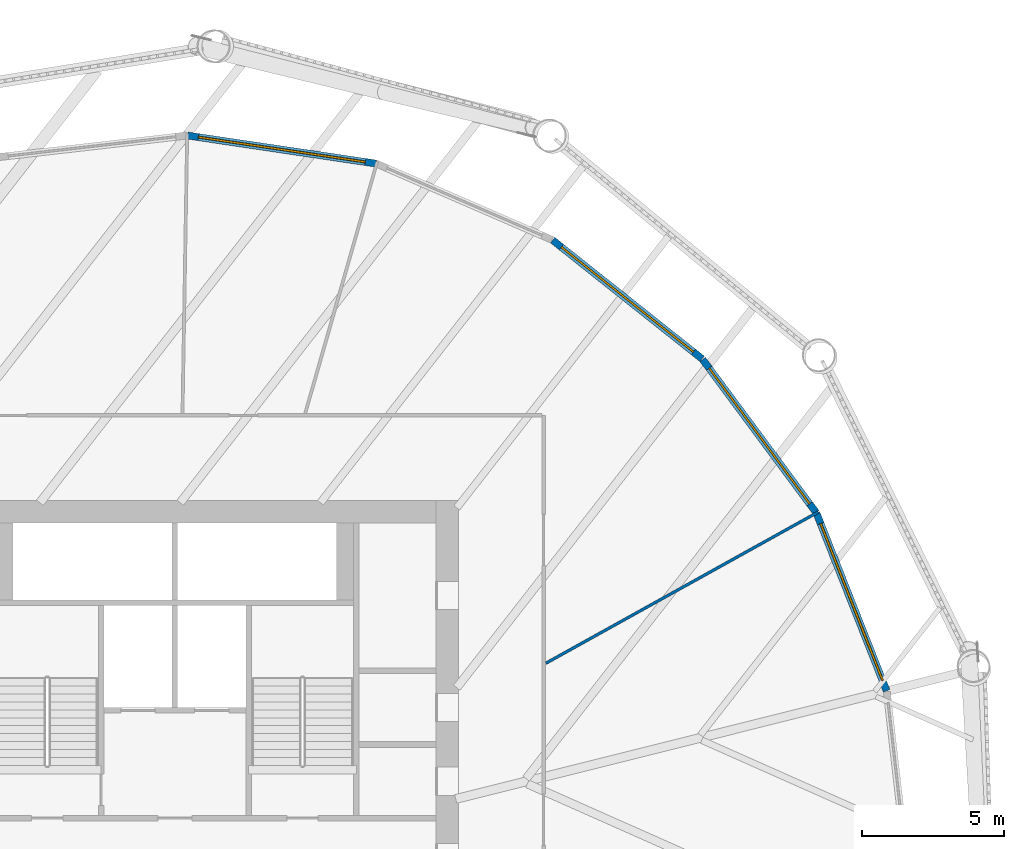
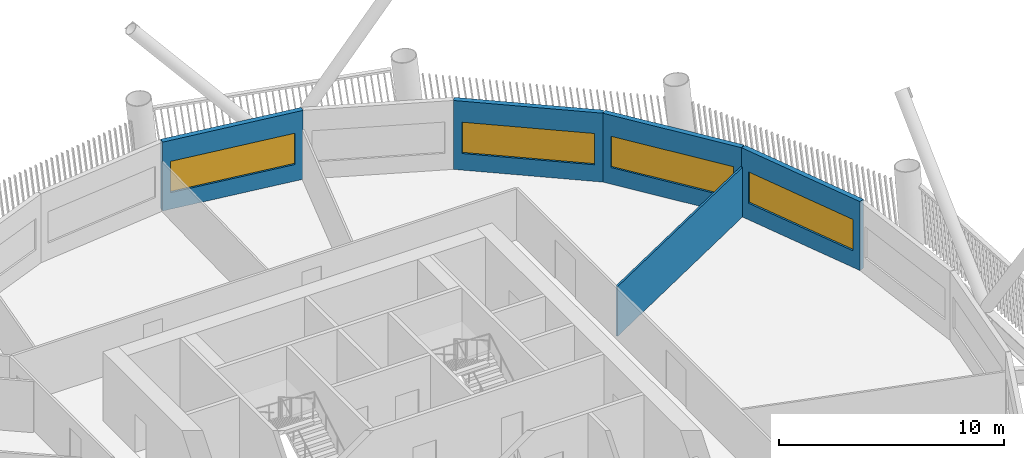
# One storey, part 8 of 22: 5 walls, 4 windows, 4 openings.
"""IFC4 building model written with IfcOpenShell, lengths in metres."""

from ifc_helpers import new_model, si_unit, direction, frame, frame_2d, origin, place, context, subcontext, project, spatial, rectangle, extrude, material, layer, layer_set, type_object, element, fill, save


model = new_model("IFC4")

# Units and contexts
model_context = context("Model", 3, precision=1e-05, world=origin(), true_north=direction((0.0, 1.0)))
body_context = subcontext(model_context, "Body", "Model", "MODEL_VIEW")
ifc_project = project(units=[si_unit("LENGTHUNIT", "METRE"), si_unit("AREAUNIT", "SQUARE_METRE"), si_unit("VOLUMEUNIT", "CUBIC_METRE"), si_unit("PLANEANGLEUNIT", "RADIAN"), si_unit("MASSUNIT", "GRAM", prefix="KILO")], contexts=[model_context])

# Site, building, storey
site_placement = place(None, origin())
site = spatial("IfcSite", under=ifc_project, at=site_placement, CompositionType="ELEMENT")
building_placement = place(site_placement, origin())
building = spatial("IfcBuilding", under=site, at=building_placement, Name="Tarsis Ring Headquarters", CompositionType="ELEMENT")
storey_placement = place(building_placement, frame((0.0, 0.0, 116.199951171875)))
storey = spatial("IfcBuildingStorey", under=building, at=storey_placement, Name="L26", CompositionType="ELEMENT", Elevation=116.199951171875)

# Wall
ifc_material_1 = material(Name="Gypsum board on steel studs", Category="steel")
ifc_layer_1 = layer(ifc_material_1, 0.10009765625)
ifc_layer_set_1 = layer_set([ifc_layer_1], Name="FL partition 100 unrated")
wall_type_1 = type_object("IfcWallType", Name="FL partition 100 unrated", PredefinedType="PARTITIONING", material=ifc_layer_set_1)
wall_1_placement = place(storey_placement, frame((13.07861328125, 7.26171875, 0.0), z_axis=(0.0, 0.0, 1.0), x_axis=(0.87428614953, 0.485410886507, 0.0)))
element("IfcWall", 1, at=wall_1_placement, inside=storey, type_object=wall_type_1, Name="Partition PW3", PredefinedType="PARTITIONING", context=body_context, shape_type="SweptSolid", body=[
    extrude(rectangle(XDim=10.988525390625, YDim=0.10009765625, at=frame_2d((5.494140625, 0.0))), origin(), (0.0, 0.0, 1.0), 2.699951171875),
])

# Wall, opening, window
ifc_material_2 = material(Name="Terracotta clad insulated panel wall", Category="masonry")
ifc_layer_2 = layer(ifc_material_2, 0.25)
ifc_layer_set_2 = layer_set([ifc_layer_2], Name="Facade wall terracotta panel 250")
wall_type_2 = type_object("IfcWallType", Name="Facade wall terracotta panel 250", PredefinedType="STANDARD", material=ifc_layer_set_2)
wall_2_placement = place(storey_placement, frame((25.094970703125, 6.292236328125, 0.0), z_axis=(0.0, 0.0, 1.0), x_axis=(-0.367140898229, 0.930165340597, 0.0)))
wall_2 = element("IfcWall", 2, at=wall_2_placement, inside=storey, type_object=wall_type_2, Name="External wall L26-24", PredefinedType="STANDARD", context=body_context, shape_type="SweptSolid", body=[
    extrude(rectangle(XDim=6.7216796875, YDim=0.25, at=frame_2d((3.36083984375, 0.0))), origin(), (0.0, 0.0, 1.0), 3.739990234375),
])
opening_1_placement = place(wall_2_placement, frame((0.3857421875, 0.0, 0.89990234375)))
opening_1 = element("IfcOpeningElement", 3, at=opening_1_placement, cuts=wall_2, Name="Opening WN07", PredefinedType="OPENING", context=body_context, shape_type="SweptSolid", body=[
    extrude(rectangle(XDim=5.949951171875, YDim=1.699951171875, at=frame_2d((2.97509765625, 0.85009765625))), frame((0.0, 0.135009765625, 0.0), z_axis=(0.0, -1.0, 0.0), x_axis=(1.0, 0.0, 0.0)), (0.0, 0.0, 1.0), 0.27001953125),
])
ifc_material_3 = material(Name="Aluminium framed double glazing", Category="aluminium")
window_type = type_object("IfcWindowType", Name="Facade window 5950 x 1700", PartitioningType="SINGLE_PANEL", PredefinedType="WINDOW", material=ifc_material_3)
window_1_placement = place(opening_1_placement, origin())
window_1 = element("IfcWindow", 4, at=window_1_placement, inside=storey, type_object=window_type, Name="Window L26-24.1", OverallHeight=1.699951171875, OverallWidth=5.949951171875, PartitioningType="SINGLE_PANEL", PredefinedType="WINDOW", context=body_context, shape_type="SweptSolid", body=[
    extrude(rectangle(XDim=5.949951171875, YDim=1.699951171875, at=frame_2d((2.97509765625, 0.85009765625))), frame((0.0, 0.030029296875, 0.0), z_axis=(0.0, -1.0, 0.0), x_axis=(1.0, 0.0, 0.0)), (0.0, 0.0, 1.0), 0.06005859375),
])
fill(opening_1, window_1)

wall_3_placement = place(storey_placement, frame((22.611328125, 12.572998046875, 0.0), z_axis=(0.0, 0.0, 1.0), x_axis=(-0.595387367754, 0.80343878567, 0.0)))
wall_3 = element("IfcWall", 5, at=wall_3_placement, inside=storey, type_object=wall_type_2, Name="External wall L26-25", PredefinedType="STANDARD", context=body_context, shape_type="SweptSolid", body=[
    extrude(rectangle(XDim=6.7216796875, YDim=0.25, at=frame_2d((3.36083984375, 0.0))), origin(), (0.0, 0.0, 1.0), 3.739990234375),
])
opening_2_placement = place(wall_3_placement, frame((0.3857421875, 0.0, 0.89990234375)))
opening_2 = element("IfcOpeningElement", 6, at=opening_2_placement, cuts=wall_3, Name="Opening WN07", PredefinedType="OPENING", context=body_context, shape_type="SweptSolid", body=[
    extrude(rectangle(XDim=5.949951171875, YDim=1.699951171875, at=frame_2d((2.97509765625, 0.85009765625))), frame((0.0, 0.135009765625, 0.0), z_axis=(0.0, -1.0, 0.0), x_axis=(1.0, 0.0, 0.0)), (0.0, 0.0, 1.0), 0.27001953125),
])
window_2_placement = place(opening_2_placement, origin())
window_2 = element("IfcWindow", 7, at=window_2_placement, inside=storey, type_object=window_type, Name="Window L26-25.1", OverallHeight=1.699951171875, OverallWidth=5.949951171875, PartitioningType="SINGLE_PANEL", PredefinedType="WINDOW", context=body_context, shape_type="SweptSolid", body=[
    extrude(rectangle(XDim=5.949951171875, YDim=1.699951171875, at=frame_2d((2.97509765625, 0.85009765625))), frame((0.0, 0.030029296875, 0.0), z_axis=(0.0, -1.0, 0.0), x_axis=(1.0, 0.0, 0.0)), (0.0, 0.0, 1.0), 0.06005859375),
])
fill(opening_2, window_2)

wall_4_placement = place(storey_placement, frame((18.586669921875, 17.996826171875, 0.0), z_axis=(0.0, 0.0, 1.0), x_axis=(-0.783050491806, 0.621958139493, 0.0)))
wall_4 = element("IfcWall", 8, at=wall_4_placement, inside=storey, type_object=wall_type_2, Name="External wall L26-26", PredefinedType="STANDARD", context=body_context, shape_type="SweptSolid", body=[
    extrude(rectangle(XDim=6.721435546875, YDim=0.25, at=frame_2d((3.36083984375, 0.0))), origin(), (0.0, 0.0, 1.0), 3.739990234375),
])
opening_3_placement = place(wall_4_placement, frame((0.3857421875, 0.0, 0.89990234375)))
opening_3 = element("IfcOpeningElement", 9, at=opening_3_placement, cuts=wall_4, Name="Opening WN07", PredefinedType="OPENING", context=body_context, shape_type="SweptSolid", body=[
    extrude(rectangle(XDim=5.949951171875, YDim=1.699951171875, at=frame_2d((2.97509765625, 0.85009765625))), frame((0.0, 0.135009765625, 0.0), z_axis=(0.0, -1.0, 0.0), x_axis=(1.0, 0.0, 0.0)), (0.0, 0.0, 1.0), 0.27001953125),
])
window_3_placement = place(opening_3_placement, origin())
window_3 = element("IfcWindow", 10, at=window_3_placement, inside=storey, type_object=window_type, Name="Window L26-26.1", OverallHeight=1.699951171875, OverallWidth=5.949951171875, PartitioningType="SINGLE_PANEL", PredefinedType="WINDOW", context=body_context, shape_type="SweptSolid", body=[
    extrude(rectangle(XDim=5.949951171875, YDim=1.699951171875, at=frame_2d((2.97509765625, 0.85009765625))), frame((0.0, 0.030029296875, 0.0), z_axis=(0.0, -1.0, 0.0), x_axis=(1.0, 0.0, 0.0)), (0.0, 0.0, 1.0), 0.06005859375),
])
fill(opening_3, window_3)

wall_5_placement = place(storey_placement, frame((7.09814453125, 24.87890625, 0.0), z_axis=(0.0, 0.0, 1.0), x_axis=(-0.989115723386, 0.14713968109, 0.0)))
wall_5 = element("IfcWall", 11, at=wall_5_placement, inside=storey, type_object=wall_type_2, Name="External wall L26-28", PredefinedType="STANDARD", context=body_context, shape_type="SweptSolid", body=[
    extrude(rectangle(XDim=6.7216796875, YDim=0.25, at=frame_2d((3.36083984375, 0.0))), origin(), (0.0, 0.0, 1.0), 3.739990234375),
])
opening_4_placement = place(wall_5_placement, frame((0.3857421875, 0.0, 0.89990234375)))
opening_4 = element("IfcOpeningElement", 12, at=opening_4_placement, cuts=wall_5, Name="Opening WN07", PredefinedType="OPENING", context=body_context, shape_type="SweptSolid", body=[
    extrude(rectangle(XDim=5.949951171875, YDim=1.699951171875, at=frame_2d((2.97509765625, 0.85009765625))), frame((0.0, 0.135009765625, 0.0), z_axis=(0.0, -1.0, 0.0), x_axis=(1.0, 0.0, 0.0)), (0.0, 0.0, 1.0), 0.27001953125),
])
window_4_placement = place(opening_4_placement, origin())
window_4 = element("IfcWindow", 13, at=window_4_placement, inside=storey, type_object=window_type, Name="Window L26-28.1", OverallHeight=1.699951171875, OverallWidth=5.949951171875, PartitioningType="SINGLE_PANEL", PredefinedType="WINDOW", context=body_context, shape_type="SweptSolid", body=[
    extrude(rectangle(XDim=5.949951171875, YDim=1.699951171875, at=frame_2d((2.97509765625, 0.85009765625))), frame((0.0, 0.030029296875, 0.0), z_axis=(0.0, -1.0, 0.0), x_axis=(1.0, 0.0, 0.0)), (0.0, 0.0, 1.0), 0.06005859375),
])
fill(opening_4, window_4)

save(model, "model.ifc")
